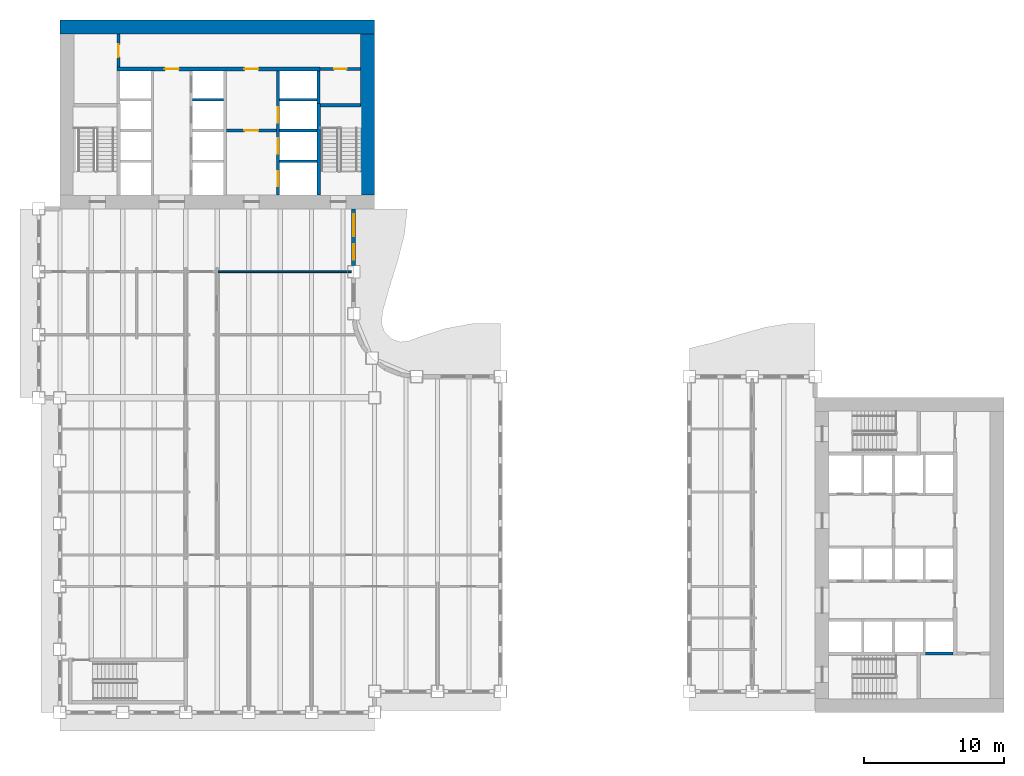
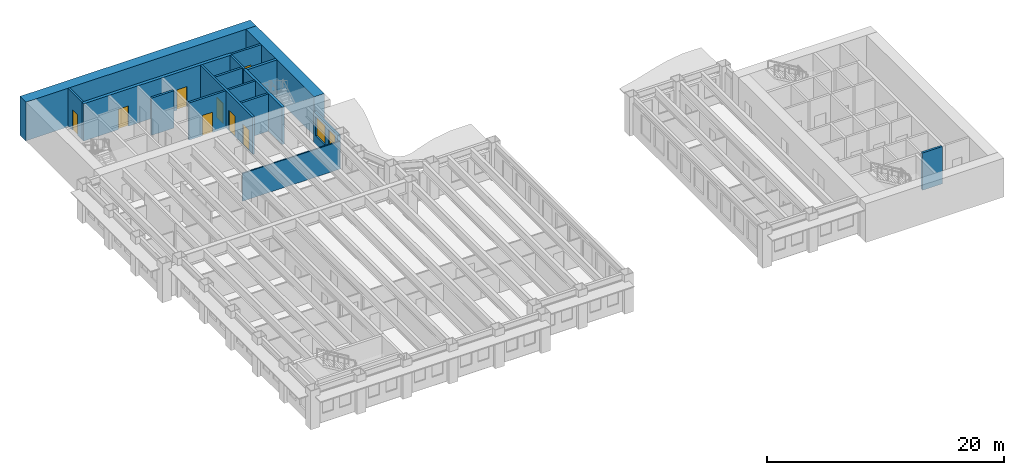
# One storey, part 8 of 13: 17 walls, 8 doors, 2 windows, 10 openings.
"""IFC4 building model written with IfcOpenShell, lengths in metres."""

from ifc_helpers import new_model, si_unit, direction, frame, frame_2d, origin, place, context, subcontext, project, spatial, rectangle, extrude, material, layer, layer_set, type_object, element, fill, save


model = new_model("IFC4")

# Units and contexts
model_context = context("Model", 3, precision=1e-05, world=origin(), true_north=direction((0.0, 1.0)))
body_context = subcontext(model_context, "Body", "Model", "MODEL_VIEW")
ifc_project = project(units=[si_unit("LENGTHUNIT", "METRE"), si_unit("AREAUNIT", "SQUARE_METRE"), si_unit("VOLUMEUNIT", "CUBIC_METRE"), si_unit("PLANEANGLEUNIT", "RADIAN"), si_unit("MASSUNIT", "GRAM", prefix="KILO")], contexts=[model_context])

# Site, building, storey
site_placement = place(None, origin())
site = spatial("IfcSite", under=ifc_project, at=site_placement, CompositionType="ELEMENT")
building_placement = place(site_placement, origin())
building = spatial("IfcBuilding", under=site, at=building_placement, Name="Sennacour Bend Tower", CompositionType="ELEMENT")
storey_placement = place(building_placement, frame((0.0, 0.0, 139.0)))
storey = spatial("IfcBuildingStorey", under=building, at=storey_placement, Name="L31", CompositionType="ELEMENT", Elevation=139.0)

# Walls
ifc_material_1 = material(Name="Concrete C60/75", Category="concrete")
ifc_layer_1 = layer(ifc_material_1, 1.0, Name="Concrete C60/75", Category="concrete")
ifc_layer_set_1 = layer_set([ifc_layer_1], Name="Concrete C60/75")
wall_type_1 = type_object("IfcWallType", Name="Core wall 1000 C60/75", PredefinedType="SHEAR", material=ifc_layer_set_1)
wall_1_placement = place(storey_placement, frame((0.0, 49.0, -0.14990234375), z_axis=(0.0, 0.0, 1.0), x_axis=(1.0, 0.0, 0.0)))
element("IfcWall", 1, at=wall_1_placement, inside=storey, type_object=wall_type_1, Name="Core B wall L31 N", PredefinedType="SHEAR", context=body_context, shape_type="SweptSolid", body=[
    extrude(rectangle(XDim=22.5, YDim=1.0, at=frame_2d((11.25, 0.0))), origin(), (0.0, 0.0, 1.0), 4.0),
])
wall_2_placement = place(storey_placement, frame((22.0, 37.0, -0.14990234375), z_axis=(0.0, 0.0, 1.0), x_axis=(0.0, 1.0, 0.0)))
element("IfcWall", 2, at=wall_2_placement, inside=storey, type_object=wall_type_1, Name="Core B wall L31 E", PredefinedType="SHEAR", context=body_context, shape_type="SweptSolid", body=[
    extrude(rectangle(XDim=11.5, YDim=1.0, at=frame_2d((5.75, 0.0))), origin(), (0.0, 0.0, 1.0), 4.0),
])
ifc_material_2 = material(Name="Plasterboard partition on steel studs", Category="steel")
ifc_layer_2 = layer(ifc_material_2, 0.1201171875, Name="Plasterboard partition on steel studs", Category="steel")
ifc_layer_set_2 = layer_set([ifc_layer_2], Name="Plasterboard partition on steel studs")
wall_type_2 = type_object("IfcWallType", Name="Partition 120", PredefinedType="PARTITIONING", material=ifc_layer_set_2)
wall_3_placement = place(storey_placement, frame((11.31005859375, 31.5, 0.0), z_axis=(0.0, 0.0, 1.0), x_axis=(1.0, 0.0, 0.0)))
element("IfcWall", 3, at=wall_3_placement, inside=storey, type_object=wall_type_2, Name="P-L31-W069ae", PredefinedType="PARTITIONING", context=body_context, shape_type="SweptSolid", body=[
    extrude(rectangle(XDim=9.5400390625, YDim=0.1201171875, at=frame_2d((4.77001953125, 0.0))), origin(), (0.0, 0.0, 1.0), 2.8701171875),
])

# Wall, opening, door
ifc_material_3 = material(Name="Fire-rated plasterboard partition on steel studs", Category="steel")
ifc_layer_3 = layer(ifc_material_3, 0.199951171875, Name="Fire-rated plasterboard partition on steel studs", Category="steel")
ifc_layer_set_3 = layer_set([ifc_layer_3], Name="Fire-rated plasterboard partition on steel studs")
wall_type_3 = type_object("IfcWallType", Name="Rated partition 200", PredefinedType="PARTITIONING", material=ifc_layer_set_3)
wall_4_placement = place(storey_placement, frame((4.199951171875, 46.14990234375, 0.0), z_axis=(0.0, 0.0, 1.0), x_axis=(0.0, 1.0, 0.0)))
wall_4 = element("IfcWall", 4, at=wall_4_placement, inside=storey, type_object=wall_type_3, Name="P-L31-W007", PredefinedType="PARTITIONING", context=body_context, shape_type="SweptSolid", body=[
    extrude(rectangle(XDim=2.35009765625, YDim=0.199951171875, at=frame_2d((1.175048828125, 0.0))), origin(), (0.0, 0.0, 1.0), 3.85009765625),
])
opening_1_placement = place(wall_4_placement, frame((0.7001953125, 0.0, 0.0)))
opening_1 = element("IfcOpeningElement", 5, at=opening_1_placement, cuts=wall_4, Name="Opening SV", PredefinedType="OPENING", context=body_context, shape_type="SweptSolid", body=[
    extrude(rectangle(XDim=0.89990234375, YDim=2.10009765625, at=frame_2d((0.449951171875, 1.050048828125))), frame((0.0, 0.10986328125, 0.0), z_axis=(0.0, -1.0, 0.0), x_axis=(1.0, 0.0, 0.0)), (0.0, 0.0, 1.0), 0.219970703125),
])
ifc_material_4 = material(Name="Painted steel", Category="steel")
door_type_1 = type_object("IfcDoorType", Name="DR-SERVICE-900", OperationType="NOTDEFINED", PredefinedType="DOOR", material=ifc_material_4)
door_1_placement = place(opening_1_placement, origin())
door_1 = element("IfcDoor", 6, at=door_1_placement, inside=storey, type_object=door_type_1, Name="Door", OperationType="SINGLE_SWING_LEFT", OverallHeight=2.10009765625, OverallWidth=0.89990234375, PredefinedType="DOOR", context=body_context, shape_type="SweptSolid", body=[
    extrude(rectangle(XDim=0.89990234375, YDim=2.10009765625, at=frame_2d((0.449951171875, 1.050048828125))), frame((0.0, 0.02490234375, 0.0), z_axis=(0.0, -1.0, 0.0), x_axis=(1.0, 0.0, 0.0)), (0.0, 0.0, 1.0), 0.050048828125),
])
fill(opening_1, door_1)

wall_5_placement = place(storey_placement, frame((18.60009765625, 46.0, 0.0), z_axis=(0.0, 0.0, 1.0), x_axis=(1.0, 0.0, 0.0)))
wall_5 = element("IfcWall", 7, at=wall_5_placement, inside=storey, type_object=wall_type_3, Name="P-L31-W084", PredefinedType="PARTITIONING", context=body_context, shape_type="SweptSolid", body=[
    extrude(rectangle(XDim=2.89990234375, YDim=0.199951171875, at=frame_2d((1.449951171875, 0.0))), origin(), (0.0, 0.0, 1.0), 3.85009765625),
])
opening_2_placement = place(wall_5_placement, frame((1.0, 0.0, 0.0)))
opening_2 = element("IfcOpeningElement", 8, at=opening_2_placement, cuts=wall_5, Name="Opening SV", PredefinedType="OPENING", context=body_context, shape_type="SweptSolid", body=[
    extrude(rectangle(XDim=0.89990234375, YDim=2.10009765625, at=frame_2d((0.449951171875, 1.050048828125))), frame((0.0, 0.10986328125, 0.0), z_axis=(0.0, -1.0, 0.0), x_axis=(1.0, 0.0, 0.0)), (0.0, 0.0, 1.0), 0.219970703125),
])
door_2_placement = place(opening_2_placement, origin())
door_2 = element("IfcDoor", 9, at=door_2_placement, inside=storey, type_object=door_type_1, Name="Door", OperationType="SINGLE_SWING_LEFT", OverallHeight=2.10009765625, OverallWidth=0.89990234375, PredefinedType="DOOR", context=body_context, shape_type="SweptSolid", body=[
    extrude(rectangle(XDim=0.89990234375, YDim=2.10009765625, at=frame_2d((0.449951171875, 1.050048828125))), frame((0.0, 0.02490234375, 0.0), z_axis=(0.0, -1.0, 0.0), x_axis=(1.0, 0.0, 0.0)), (0.0, 0.0, 1.0), 0.050048828125),
])
fill(opening_2, door_2)

ifc_layer_4 = layer(ifc_material_3, 0.199951171875, Name="Fire-rated plasterboard partition on steel studs", Category="steel")
ifc_layer_set_4 = layer_set([ifc_layer_4], Name="Fire-rated plasterboard partition on steel studs")
wall_type_4 = type_object("IfcWallType", Name="Rated partition 200 EI 90", PredefinedType="PARTITIONING", material=ifc_layer_set_4)
wall_6_placement = place(storey_placement, frame((11.89990234375, 41.60009765625, 0.0), z_axis=(0.0, 0.0, 1.0), x_axis=(1.0, 0.0, 0.0)))
wall_6 = element("IfcWall", 10, at=wall_6_placement, inside=storey, type_object=wall_type_4, Name="P-L31-W076", PredefinedType="PARTITIONING", context=body_context, shape_type="SweptSolid", body=[
    extrude(rectangle(XDim=3.60009765625, YDim=0.199951171875, at=frame_2d((1.800048828125, 0.0))), origin(), (0.0, 0.0, 1.0), 3.85009765625),
])
opening_3_placement = place(wall_6_placement, frame((1.300048828125, 0.0, 0.0)))
opening_3 = element("IfcOpeningElement", 11, at=opening_3_placement, cuts=wall_6, Name="Opening FD2", PredefinedType="OPENING", context=body_context, shape_type="SweptSolid", body=[
    extrude(rectangle(XDim=1.0, YDim=2.10009765625, at=frame_2d((0.5, 1.050048828125))), frame((0.0, 0.10986328125, 0.0), z_axis=(0.0, -1.0, 0.0), x_axis=(1.0, 0.0, 0.0)), (0.0, 0.0, 1.0), 0.219970703125),
])
door_type_2 = type_object("IfcDoorType", Name="DR-FFL-1000", OperationType="NOTDEFINED", PredefinedType="DOOR", material=ifc_material_4)
door_3_placement = place(opening_3_placement, origin())
door_3 = element("IfcDoor", 12, at=door_3_placement, inside=storey, type_object=door_type_2, Name="Door", OperationType="SINGLE_SWING_LEFT", OverallHeight=2.10009765625, OverallWidth=1.0, PredefinedType="DOOR", context=body_context, shape_type="SweptSolid", body=[
    extrude(rectangle(XDim=1.0, YDim=2.10009765625, at=frame_2d((0.5, 1.050048828125))), frame((0.0, 0.02490234375, 0.0), z_axis=(0.0, -1.0, 0.0), x_axis=(1.0, 0.0, 0.0)), (0.0, 0.0, 1.0), 0.050048828125),
])
fill(opening_3, door_3)

# Wall, openings, windows
ifc_material_5 = material(Name="Warm limestone cladding", Category="masonry")
ifc_layer_5 = layer(ifc_material_5, 0.050048828125, Name="Warm limestone cladding", Category="masonry")
ifc_material_6 = material(Name="Precast concrete C40/50", Category="concrete")
ifc_layer_6 = layer(ifc_material_6, 0.25, Name="Precast concrete C40/50", Category="concrete")
ifc_layer_set_5 = layer_set([ifc_layer_5, ifc_layer_6], Name="Precast concrete C40/50 with limestone cladding")
wall_type_5 = type_object("IfcWallType", Name="STONE-CLAD PRECAST SPANDREL 300", PredefinedType="STANDARD", material=ifc_layer_set_5)
wall_7_placement = place(storey_placement, frame((21.0, 31.949951171875, 0.0), z_axis=(0.0, 0.0, 1.0), x_axis=(0.0, 1.0, 0.0)))
wall_7 = element("IfcWall", 13, at=wall_7_placement, inside=storey, type_object=wall_type_5, Name="Stone spandrel and pier wall L31 15.01", PredefinedType="STANDARD", context=body_context, shape_type="SweptSolid", body=[
    extrude(rectangle(XDim=4.050048828125, YDim=0.300048828125, at=frame_2d((2.02490234375, 0.0))), origin(), (0.0, 0.0, 1.0), 3.14892578125),
])
opening_4_placement = place(wall_7_placement, frame((0.39990234375, 0.0, 0.89990234375)))
opening_4 = element("IfcOpeningElement", 14, at=opening_4_placement, cuts=wall_7, Name="Opening W19", PredefinedType="OPENING", context=body_context, shape_type="SweptSolid", body=[
    extrude(rectangle(XDim=1.10009765625, YDim=2.0, at=frame_2d((0.550048828125, 1.0))), frame((0.0, 0.16015625, 0.0), z_axis=(0.0, -1.0, 0.0), x_axis=(1.0, 0.0, 0.0)), (0.0, 0.0, 1.0), 0.320068359375),
])
opening_5_placement = place(wall_7_placement, frame((2.10009765625, 0.0, 0.89990234375)))
opening_5 = element("IfcOpeningElement", 15, at=opening_5_placement, cuts=wall_7, Name="Opening W9", PredefinedType="OPENING", context=body_context, shape_type="SweptSolid", body=[
    extrude(rectangle(XDim=1.550048828125, YDim=2.0, at=frame_2d((0.77490234375, 1.0))), frame((0.0, 0.16015625, 0.0), z_axis=(0.0, -1.0, 0.0), x_axis=(1.0, 0.0, 0.0)), (0.0, 0.0, 1.0), 0.320068359375),
])
ifc_material_7 = material(Name="Clear low-emissivity glass", Category="glass")
window_type_1 = type_object("IfcWindowType", Name="WIN-RIBBON-1100x2000", PartitioningType="SINGLE_PANEL", PredefinedType="WINDOW", material=ifc_material_7)
window_1_placement = place(opening_4_placement, origin())
window_1 = element("IfcWindow", 16, at=window_1_placement, inside=storey, type_object=window_type_1, Name="Ribbon window L31 15.01.0", OverallHeight=2.0, OverallWidth=1.10009765625, PartitioningType="SINGLE_PANEL", PredefinedType="WINDOW", context=body_context, shape_type="SweptSolid", body=[
    extrude(rectangle(XDim=1.10009765625, YDim=2.0, at=frame_2d((0.550048828125, 1.0))), frame((0.0, 0.030029296875, 0.0), z_axis=(0.0, -1.0, 0.0), x_axis=(1.0, 0.0, 0.0)), (0.0, 0.0, 1.0), 0.06005859375),
])
fill(opening_4, window_1)
window_type_2 = type_object("IfcWindowType", Name="WIN-RIBBON-1550x2000", PartitioningType="SINGLE_PANEL", PredefinedType="WINDOW", material=ifc_material_7)
window_2_placement = place(opening_5_placement, origin())
window_2 = element("IfcWindow", 17, at=window_2_placement, inside=storey, type_object=window_type_2, Name="Ribbon window L31 15.01.1", OverallHeight=2.0, OverallWidth=1.550048828125, PartitioningType="SINGLE_PANEL", PredefinedType="WINDOW", context=body_context, shape_type="SweptSolid", body=[
    extrude(rectangle(XDim=1.550048828125, YDim=2.0, at=frame_2d((0.77490234375, 1.0))), frame((0.0, 0.030029296875, 0.0), z_axis=(0.0, -1.0, 0.0), x_axis=(1.0, 0.0, 0.0)), (0.0, 0.0, 1.0), 0.06005859375),
])
fill(opening_5, window_2)

# Wall, openings, doors
ifc_material_8 = material(Name="Concrete C50/60", Category="concrete")
ifc_layer_7 = layer(ifc_material_8, 0.199951171875, Name="Concrete C50/60", Category="concrete")
ifc_layer_set_6 = layer_set([ifc_layer_7], Name="Concrete C50/60")
wall_type_6 = type_object("IfcWallType", Name="Shaft wall 200", PredefinedType="SOLIDWALL", material=ifc_layer_set_6)
wall_8_placement = place(storey_placement, frame((15.60009765625, 37.0, 0.0), z_axis=(0.0, 0.0, 1.0), x_axis=(0.0, 1.0, 0.0)))
wall_8 = element("IfcWall", 18, at=wall_8_placement, inside=storey, type_object=wall_type_6, Name="P-L31-W018", PredefinedType="SOLIDWALL", context=body_context, shape_type="SweptSolid", body=[
    extrude(rectangle(XDim=8.85009765625, YDim=0.199951171875, at=frame_2d((4.425048828125, 0.0))), origin(), (0.0, 0.0, 1.0), 3.85009765625),
])
opening_6_placement = place(wall_8_placement, frame((0.60009765625, 0.0, 0.011962890625)))
opening_6 = element("IfcOpeningElement", 19, at=opening_6_placement, cuts=wall_8, Name="Opening FLD", PredefinedType="OPENING", context=body_context, shape_type="SweptSolid", body=[
    extrude(rectangle(XDim=1.10009765625, YDim=2.10009765625, at=frame_2d((0.550048828125, 1.050048828125))), frame((0.0, 0.10986328125, 0.0), z_axis=(0.0, -1.0, 0.0), x_axis=(1.0, 0.0, 0.0)), (0.0, 0.0, 1.0), 0.219970703125),
])
opening_7_placement = place(wall_8_placement, frame((2.949951171875, 0.0, 0.011962890625)))
opening_7 = element("IfcOpeningElement", 20, at=opening_7_placement, cuts=wall_8, Name="Opening FLD", PredefinedType="OPENING", context=body_context, shape_type="SweptSolid", body=[
    extrude(rectangle(XDim=1.10009765625, YDim=2.10009765625, at=frame_2d((0.550048828125, 1.050048828125))), frame((0.0, 0.10986328125, 0.0), z_axis=(0.0, -1.0, 0.0), x_axis=(1.0, 0.0, 0.0)), (0.0, 0.0, 1.0), 0.219970703125),
])
opening_8_placement = place(wall_8_placement, frame((5.14990234375, 0.0, 0.011962890625)))
opening_8 = element("IfcOpeningElement", 21, at=opening_8_placement, cuts=wall_8, Name="Opening LD", PredefinedType="OPENING", context=body_context, shape_type="SweptSolid", body=[
    extrude(rectangle(XDim=1.10009765625, YDim=2.10009765625, at=frame_2d((0.550048828125, 1.050048828125))), frame((0.0, 0.10986328125, 0.0), z_axis=(0.0, -1.0, 0.0), x_axis=(1.0, 0.0, 0.0)), (0.0, 0.0, 1.0), 0.219970703125),
])
ifc_material_9 = material(Name="Stainless steel", Category="steel")
door_type_3 = type_object("IfcDoorType", Name="DR-FF-LANDING-1100", OperationType="NOTDEFINED", PredefinedType="DOOR", material=ifc_material_9)
door_4_placement = place(opening_6_placement, origin())
door_4 = element("IfcDoor", 22, at=door_4_placement, inside=storey, type_object=door_type_3, Name="Fire service lift landing door FB1", OperationType="SLIDING_TO_LEFT", OverallHeight=2.10009765625, OverallWidth=1.10009765625, PredefinedType="DOOR", context=body_context, shape_type="SweptSolid", body=[
    extrude(rectangle(XDim=1.10009765625, YDim=2.10009765625, at=frame_2d((0.550048828125, 1.050048828125))), frame((0.0, 0.02490234375, 0.0), z_axis=(0.0, -1.0, 0.0), x_axis=(1.0, 0.0, 0.0)), (0.0, 0.0, 1.0), 0.050048828125),
])
fill(opening_6, door_4)
door_5_placement = place(opening_7_placement, origin())
door_5 = element("IfcDoor", 23, at=door_5_placement, inside=storey, type_object=door_type_3, Name="Fire service lift landing door FB2", OperationType="SLIDING_TO_RIGHT", OverallHeight=2.10009765625, OverallWidth=1.10009765625, PredefinedType="DOOR", context=body_context, shape_type="SweptSolid", body=[
    extrude(rectangle(XDim=1.10009765625, YDim=2.10009765625, at=frame_2d((0.550048828125, 1.050048828125))), frame((0.0, 0.02490234375, 0.0), z_axis=(0.0, -1.0, 0.0), x_axis=(1.0, 0.0, 0.0)), (0.0, 0.0, 1.0), 0.050048828125),
])
fill(opening_7, door_5)
door_type_4 = type_object("IfcDoorType", Name="DR-LANDING-1100", OperationType="NOTDEFINED", PredefinedType="DOOR", material=ifc_material_9)
door_6_placement = place(opening_8_placement, origin())
door_6 = element("IfcDoor", 24, at=door_6_placement, inside=storey, type_object=door_type_4, Name="Lift landing door MB5", OperationType="SLIDING_TO_LEFT", OverallHeight=2.10009765625, OverallWidth=1.10009765625, PredefinedType="DOOR", context=body_context, shape_type="SweptSolid", body=[
    extrude(rectangle(XDim=1.10009765625, YDim=2.10009765625, at=frame_2d((0.550048828125, 1.050048828125))), frame((0.0, 0.02490234375, 0.0), z_axis=(0.0, -1.0, 0.0), x_axis=(1.0, 0.0, 0.0)), (0.0, 0.0, 1.0), 0.050048828125),
])
fill(opening_8, door_6)

# Walls
wall_9_placement = place(storey_placement, frame((18.5, 43.52490234375, 0.0), z_axis=(0.0, 0.0, 1.0), x_axis=(0.0, 1.0, 0.0)))
element("IfcWall", 25, at=wall_9_placement, inside=storey, type_object=wall_type_6, Name="P-L31-W021", PredefinedType="SOLIDWALL", context=body_context, shape_type="SweptSolid", body=[
    extrude(rectangle(XDim=2.3251953125, YDim=0.199951171875, at=frame_2d((1.16259765625, 0.0))), origin(), (0.0, 0.0, 1.0), 3.85009765625),
])
wall_10_placement = place(storey_placement, frame((61.89990234375, 4.199951171875, 0.0), z_axis=(0.0, 0.0, 1.0), x_axis=(1.0, 0.0, 0.0)))
element("IfcWall", 26, at=wall_10_placement, inside=storey, type_object=wall_type_6, Name="P-L31-W048b", PredefinedType="SOLIDWALL", context=body_context, shape_type="SweptSolid", body=[
    extrude(rectangle(XDim=1.9501953125, YDim=0.199951171875, at=frame_2d((0.97509765625, 0.0))), origin(), (0.0, 0.0, 1.0), 3.85009765625),
])
for number, where, z_axis, x_axis, name in (
    (27, (15.699951171875, 39.39990234375, 0.0), (0.0, 0.0, 1.0), (1.0, 0.0, 0.0), "P-L31-W073"),
    (28, (15.699951171875, 41.60009765625, 0.0), (0.0, 0.0, 1.0), (1.0, 0.0, 0.0), "P-L31-W077"),
):
    element("IfcWall", number, at=place(storey_placement, frame(where, z_axis=z_axis, x_axis=x_axis)), inside=storey, type_object=wall_type_6, Name=name, PredefinedType="SOLIDWALL", context=body_context, shape_type="SweptSolid", body=[
        extrude(rectangle(XDim=2.675048828125, YDim=0.199951171875, at=frame_2d((1.33740234375, 0.0))), origin(), (0.0, 0.0, 1.0), 3.85009765625),
    ])
wall_11_placement = place(storey_placement, frame((9.5, 43.800048828125, 0.0), z_axis=(0.0, 0.0, 1.0), x_axis=(1.0, 0.0, 0.0)))
element("IfcWall", 29, at=wall_11_placement, inside=storey, type_object=wall_type_6, Name="P-L31-W081", PredefinedType="SOLIDWALL", context=body_context, shape_type="SweptSolid", body=[
    extrude(rectangle(XDim=2.199951171875, YDim=0.199951171875, at=frame_2d((1.10009765625, 0.0))), origin(), (0.0, 0.0, 1.0), 3.85009765625),
])
wall_12_placement = place(storey_placement, frame((15.699951171875, 43.800048828125, 0.0), z_axis=(0.0, 0.0, 1.0), x_axis=(1.0, 0.0, 0.0)))
element("IfcWall", 30, at=wall_12_placement, inside=storey, type_object=wall_type_6, Name="P-L31-W082", PredefinedType="SOLIDWALL", context=body_context, shape_type="SweptSolid", body=[
    extrude(rectangle(XDim=2.699951171875, YDim=0.199951171875, at=frame_2d((1.35009765625, 0.0))), origin(), (0.0, 0.0, 1.0), 3.85009765625),
])

# Wall, openings, doors
ifc_layer_8 = layer(ifc_material_1, 0.300048828125, Name="Concrete C60/75", Category="concrete")
ifc_layer_set_7 = layer_set([ifc_layer_8], Name="Concrete C60/75")
wall_type_7 = type_object("IfcWallType", Name="Spine wall 300", PredefinedType="SHEAR", material=ifc_layer_set_7)
wall_13_placement = place(storey_placement, frame((4.10009765625, 46.0, 0.0), z_axis=(0.0, 0.0, 1.0), x_axis=(1.0, 0.0, 0.0)))
wall_13 = element("IfcWall", 31, at=wall_13_placement, inside=storey, type_object=wall_type_7, Name="P-L31-W083", PredefinedType="SHEAR", context=body_context, shape_type="SweptSolid", body=[
    extrude(rectangle(XDim=14.5, YDim=0.300048828125, at=frame_2d((7.25, 0.0))), origin(), (0.0, 0.0, 1.0), 3.85009765625),
])
opening_9_placement = place(wall_13_placement, frame((3.39990234375, 0.0, 0.0)))
opening_9 = element("IfcOpeningElement", 32, at=opening_9_placement, cuts=wall_13, Name="Opening CD2", PredefinedType="OPENING", context=body_context, shape_type="SweptSolid", body=[
    extrude(rectangle(XDim=1.0, YDim=2.10009765625, at=frame_2d((0.5, 1.050048828125))), frame((0.0, 0.16015625, 0.0), z_axis=(0.0, -1.0, 0.0), x_axis=(1.0, 0.0, 0.0)), (0.0, 0.0, 1.0), 0.320068359375),
])
opening_10_placement = place(wall_13_placement, frame((9.099853515625, 0.0, 0.0)))
opening_10 = element("IfcOpeningElement", 33, at=opening_10_placement, cuts=wall_13, Name="Opening CD2", PredefinedType="OPENING", context=body_context, shape_type="SweptSolid", body=[
    extrude(rectangle(XDim=1.0, YDim=2.10009765625, at=frame_2d((0.5, 1.050048828125))), frame((0.0, 0.16015625, 0.0), z_axis=(0.0, -1.0, 0.0), x_axis=(1.0, 0.0, 0.0)), (0.0, 0.0, 1.0), 0.320068359375),
])
door_type_5 = type_object("IfcDoorType", Name="DR-LOBBY-1000", OperationType="NOTDEFINED", PredefinedType="DOOR", material=ifc_material_4)
door_7_placement = place(opening_9_placement, origin())
door_7 = element("IfcDoor", 34, at=door_7_placement, inside=storey, type_object=door_type_5, Name="Door", OperationType="SINGLE_SWING_LEFT", OverallHeight=2.10009765625, OverallWidth=1.0, PredefinedType="DOOR", context=body_context, shape_type="SweptSolid", body=[
    extrude(rectangle(XDim=1.0, YDim=2.10009765625, at=frame_2d((0.5, 1.050048828125))), frame((0.0, 0.02490234375, 0.0), z_axis=(0.0, -1.0, 0.0), x_axis=(1.0, 0.0, 0.0)), (0.0, 0.0, 1.0), 0.050048828125),
])
fill(opening_9, door_7)
door_8_placement = place(opening_10_placement, origin())
door_8 = element("IfcDoor", 35, at=door_8_placement, inside=storey, type_object=door_type_5, Name="Door", OperationType="SINGLE_SWING_RIGHT", OverallHeight=2.10009765625, OverallWidth=1.0, PredefinedType="DOOR", context=body_context, shape_type="SweptSolid", body=[
    extrude(rectangle(XDim=1.0, YDim=2.10009765625, at=frame_2d((0.5, 1.050048828125))), frame((0.0, 0.02490234375, 0.0), z_axis=(0.0, -1.0, 0.0), x_axis=(1.0, 0.0, 0.0)), (0.0, 0.0, 1.0), 0.050048828125),
])
fill(opening_10, door_8)

# Walls
ifc_layer_9 = layer(ifc_material_1, 0.25, Name="Concrete C60/75", Category="concrete")
ifc_layer_set_8 = layer_set([ifc_layer_9], Name="Concrete C60/75")
wall_type_8 = type_object("IfcWallType", Name="Stair wall 250", PredefinedType="SHEAR", material=ifc_layer_set_8)
wall_14_placement = place(storey_placement, frame((18.5, 37.0, 0.0), z_axis=(0.0, 0.0, 1.0), x_axis=(0.0, 1.0, 0.0)))
element("IfcWall", 36, at=wall_14_placement, inside=storey, type_object=wall_type_8, Name="P-L31-W020", PredefinedType="SHEAR", context=body_context, shape_type="SweptSolid", body=[
    extrude(rectangle(XDim=6.52490234375, YDim=0.25, at=frame_2d((3.262451171875, 0.0))), origin(), (0.0, 0.0, 1.0), 3.85009765625),
])
wall_15_placement = place(storey_placement, frame((18.625, 43.39990234375, 0.0), z_axis=(0.0, 0.0, 1.0), x_axis=(1.0, 0.0, 0.0)))
element("IfcWall", 37, at=wall_15_placement, inside=storey, type_object=wall_type_8, Name="P-L31-W079", PredefinedType="SHEAR", context=body_context, shape_type="SweptSolid", body=[
    extrude(rectangle(XDim=2.875, YDim=0.25, at=frame_2d((1.4375, 0.0))), origin(), (0.0, 0.0, 1.0), 3.85009765625),
])

save(model, "model.ifc")
